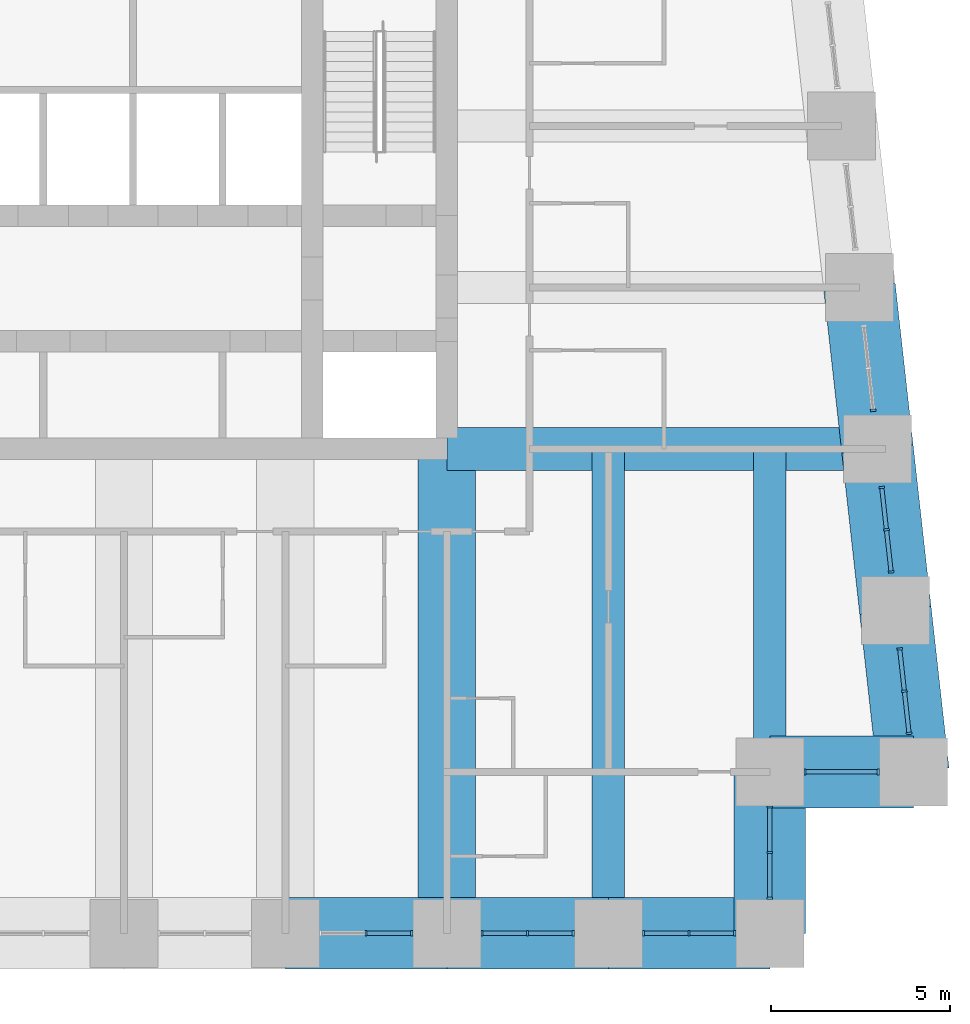
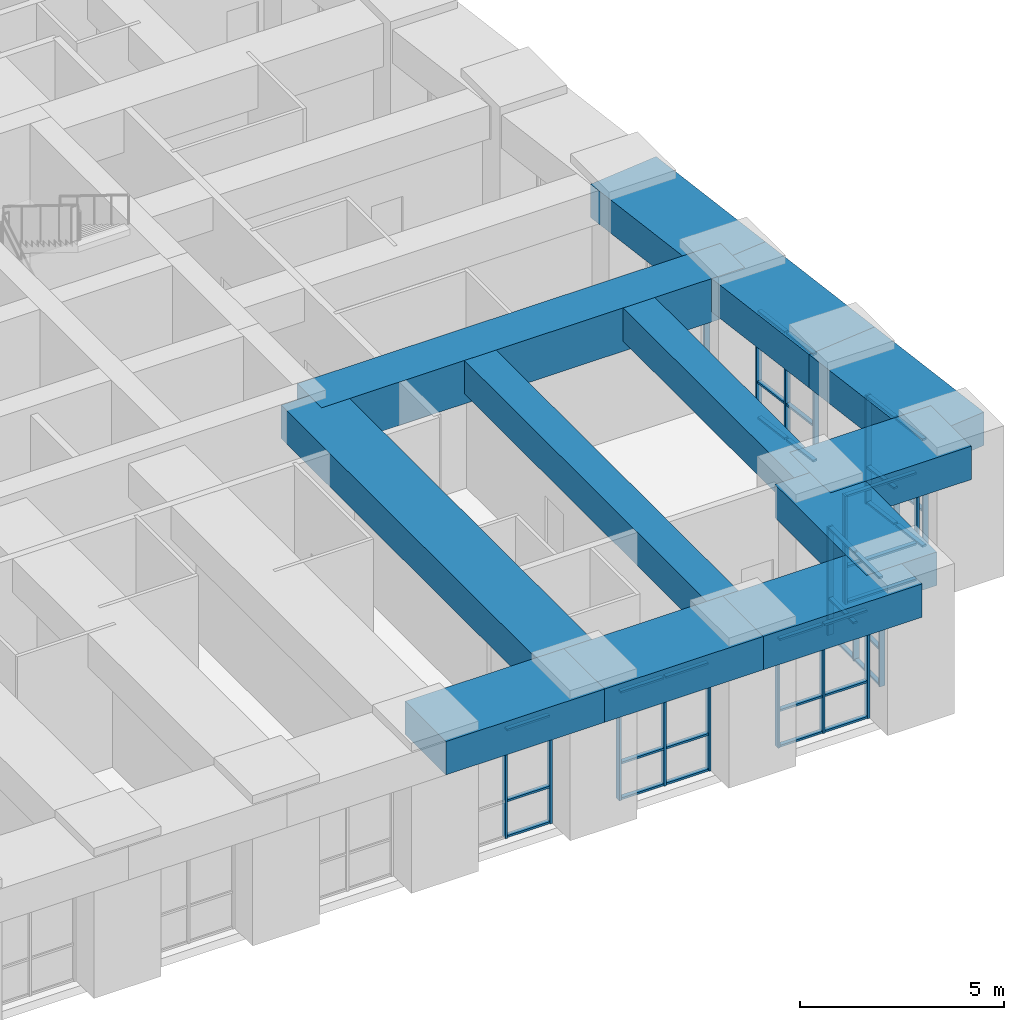
# One storey, part 5 of 16: 56 members, 12 beams, 8 elements without a shape of their own.
"""IFC4 building model written with IfcOpenShell, lengths in metres."""

from ifc_helpers import new_model, si_unit, direction, frame, origin, origin_2d, place, context, subcontext, project, spatial, rectangle, extrude, material, material_profile, profile_set, type_object, element, aggregate, save


model = new_model("IFC4")

# Units and contexts
model_context = context("Model", 3, precision=1e-05, world=origin(), true_north=direction((0.0, 1.0)))
body_context = subcontext(model_context, "Body", "Model", "MODEL_VIEW")
ifc_project = project(units=[si_unit("LENGTHUNIT", "METRE"), si_unit("AREAUNIT", "SQUARE_METRE"), si_unit("VOLUMEUNIT", "CUBIC_METRE"), si_unit("PLANEANGLEUNIT", "RADIAN"), si_unit("MASSUNIT", "GRAM", prefix="KILO")], contexts=[model_context])

# Site, building, storey
site_placement = place(None, origin())
site = spatial("IfcSite", under=ifc_project, at=site_placement, CompositionType="ELEMENT")
building_placement = place(site_placement, origin())
building = spatial("IfcBuilding", under=site, at=building_placement, Name="Kilele Tower Hotel", CompositionType="ELEMENT")
storey_placement = place(building_placement, frame((0.0, 0.0, 157.89990234375)))
storey = spatial("IfcBuildingStorey", under=building, at=storey_placement, Name="L40", CompositionType="ELEMENT", Elevation=157.89990234375)

# Beams
ifc_material_1 = material(Name="Concrete C60/75", Category="concrete")
ifc_material_profile_1 = material_profile(ifc_material_1, rectangle(XDim=1.60009765625, YDim=1.0, at=origin_2d()))
ifc_profile_set_1 = profile_set([ifc_material_profile_1], Name="Concrete C60/75")
beam_type_1 = type_object("IfcBeamType", Name="Beam RC 1600x1000 C60/75", PredefinedType="BEAM", material=ifc_profile_set_1)
beam_1_placement = place(storey_placement, frame((36.0, 0.0, 3.75), z_axis=(0.0, 1.0, 0.0), x_axis=(-1.0, 0.0, 0.0)))
element("IfcBeam", 1, at=beam_1_placement, inside=storey, type_object=beam_type_1, Name="Beam BC1 level L41", PredefinedType="BEAM", context=body_context, shape_type="SweptSolid", body=[
    extrude(rectangle(XDim=1.60009765625, YDim=1.0, at=origin_2d()), origin(), (0.0, 0.0, 1.0), 13.5),
])
ifc_material_2 = material(Name="Concrete C60/75", Category="concrete")
ifc_material_profile_2 = material_profile(ifc_material_2, rectangle(XDim=0.89990234375, YDim=1.0, at=origin_2d()))
ifc_profile_set_2 = profile_set([ifc_material_profile_2], Name="Concrete C60/75")
beam_type_2 = type_object("IfcBeamType", Name="Beam RC 900x1000 C60/75", PredefinedType="BEAM", material=ifc_profile_set_2)
beam_2_placement = place(storey_placement, frame((40.5, 0.0, 3.75), z_axis=(0.0, 1.0, 0.0), x_axis=(-1.0, 0.0, 0.0)))
element("IfcBeam", 2, at=beam_2_placement, inside=storey, type_object=beam_type_2, Name="Beam B8 level L41", PredefinedType="BEAM", context=body_context, shape_type="SweptSolid", body=[
    extrude(rectangle(XDim=0.89990234375, YDim=1.0, at=origin_2d()), origin(), (0.0, 0.0, 1.0), 13.5),
])
beam_3_placement = place(storey_placement, frame((45.0, 4.5, 3.75), z_axis=(0.0, 1.0, 0.0), x_axis=(-1.0, 0.0, 0.0)))
element("IfcBeam", 3, at=beam_3_placement, inside=storey, type_object=beam_type_2, Name="Beam B8 level L41", PredefinedType="BEAM", context=body_context, shape_type="SweptSolid", body=[
    extrude(rectangle(XDim=0.89990234375, YDim=1.0, at=origin_2d()), origin(), (0.0, 0.0, 1.0), 9.0),
])
ifc_material_3 = material(Name="Concrete C60/75", Category="concrete")
ifc_material_profile_3 = material_profile(ifc_material_3, rectangle(XDim=1.199951171875, YDim=1.300048828125, at=origin_2d()))
ifc_profile_set_3 = profile_set([ifc_material_profile_3], Name="Concrete C60/75")
beam_type_3 = type_object("IfcBeamType", Name="Girder RC 1200x1300 C60/75", PredefinedType="BEAM", material=ifc_profile_set_3)
beam_4_placement = place(storey_placement, frame((48.0, 13.5, 3.60009765625), z_axis=(-1.0, 0.0, 0.0), x_axis=(0.0, -1.0, 0.0)))
element("IfcBeam", 4, at=beam_4_placement, inside=storey, type_object=beam_type_3, Name="Girder G1 level L41", PredefinedType="BEAM", context=body_context, shape_type="SweptSolid", body=[
    extrude(rectangle(XDim=1.199951171875, YDim=1.300048828125, at=origin_2d()), origin(), (0.0, 0.0, 1.0), 12.0),
])

# Curtain wall, members
ifc_material_4 = material(Name="Aluminium curtain wall, clear double glazing", Category="aluminium")
curtain_wall_type = type_object("IfcCurtainWallType", Name="Club lounge curtain wall CW-4", PredefinedType="NOTDEFINED", material=ifc_material_4)
curtain_wall_1_placement = place(storey_placement, origin())
curtain_wall_1 = element("IfcCurtainWall", 5, at=curtain_wall_1_placement, inside=storey, type_object=curtain_wall_type, Name="Club lounge curtain wall CW-4 L40", PredefinedType="NOTDEFINED")
ifc_material_5 = material(Name="Aluminium EN AW-6063 T6", Category="aluminium")
ifc_material_profile_4 = material_profile(ifc_material_5, rectangle(XDim=0.159912109375, YDim=0.06005859375, at=origin_2d()))
ifc_profile_set_4 = profile_set([ifc_material_profile_4], Name="Aluminium EN AW-6063 T6")
member_type_1 = type_object("IfcMemberType", Name="Mullion 60x160 CW-4", PredefinedType="MULLION", material=ifc_profile_set_4)
member_1_placement = place(storey_placement, frame((33.75, 0.0, 0.0), z_axis=(0.0, 0.0, 1.0), x_axis=(0.0, 1.0, 0.0)))
member_1 = element("IfcMember", 6, at=member_1_placement, type_object=member_type_1, Name="CW-4 mullion 2", PredefinedType="MULLION", context=body_context, shape_type="SweptSolid", body=[
    extrude(rectangle(XDim=0.159912109375, YDim=0.06005859375, at=origin_2d()), origin(), (0.0, 0.0, 1.0), 3.25),
])
member_2_placement = place(storey_placement, frame((35.02001953125, 0.0, 0.0), z_axis=(0.0, 0.0, 1.0), x_axis=(0.0, 1.0, 0.0)))
member_2 = element("IfcMember", 7, at=member_2_placement, type_object=member_type_1, Name="CW-4 mullion 3", PredefinedType="MULLION", context=body_context, shape_type="SweptSolid", body=[
    extrude(rectangle(XDim=0.159912109375, YDim=0.06005859375, at=origin_2d()), origin(), (0.0, 0.0, 1.0), 3.25),
])

curtain_wall_2_placement = place(storey_placement, origin())
curtain_wall_2 = element("IfcCurtainWall", 8, at=curtain_wall_2_placement, inside=storey, type_object=curtain_wall_type, Name="Club lounge curtain wall CW-4 L40", PredefinedType="NOTDEFINED")
member_3_placement = place(storey_placement, frame((36.97998046875, 0.0, 0.0), z_axis=(0.0, 0.0, 1.0), x_axis=(0.0, 1.0, 0.0)))
member_3 = element("IfcMember", 9, at=member_3_placement, type_object=member_type_1, Name="CW-4 mullion 1", PredefinedType="MULLION", context=body_context, shape_type="SweptSolid", body=[
    extrude(rectangle(XDim=0.159912109375, YDim=0.06005859375, at=origin_2d()), origin(), (0.0, 0.0, 1.0), 3.25),
])
member_4_placement = place(storey_placement, frame((38.25, 0.0, 0.0), z_axis=(0.0, 0.0, 1.0), x_axis=(0.0, 1.0, 0.0)))
member_4 = element("IfcMember", 10, at=member_4_placement, type_object=member_type_1, Name="CW-4 mullion 2", PredefinedType="MULLION", context=body_context, shape_type="SweptSolid", body=[
    extrude(rectangle(XDim=0.159912109375, YDim=0.06005859375, at=origin_2d()), origin(), (0.0, 0.0, 1.0), 3.25),
])
member_5_placement = place(storey_placement, frame((39.52001953125, 0.0, 0.0), z_axis=(0.0, 0.0, 1.0), x_axis=(0.0, 1.0, 0.0)))
member_5 = element("IfcMember", 11, at=member_5_placement, type_object=member_type_1, Name="CW-4 mullion 3", PredefinedType="MULLION", context=body_context, shape_type="SweptSolid", body=[
    extrude(rectangle(XDim=0.159912109375, YDim=0.06005859375, at=origin_2d()), origin(), (0.0, 0.0, 1.0), 3.25),
])

curtain_wall_3_placement = place(storey_placement, origin())
curtain_wall_3 = element("IfcCurtainWall", 12, at=curtain_wall_3_placement, inside=storey, type_object=curtain_wall_type, Name="Club lounge curtain wall CW-4 L40", PredefinedType="NOTDEFINED")
member_6_placement = place(storey_placement, frame((41.47998046875, 0.0, 0.0), z_axis=(0.0, 0.0, 1.0), x_axis=(0.0, 1.0, 0.0)))
member_6 = element("IfcMember", 13, at=member_6_placement, type_object=member_type_1, Name="CW-4 mullion 1", PredefinedType="MULLION", context=body_context, shape_type="SweptSolid", body=[
    extrude(rectangle(XDim=0.159912109375, YDim=0.06005859375, at=origin_2d()), origin(), (0.0, 0.0, 1.0), 3.25),
])
member_7_placement = place(storey_placement, frame((42.75, 0.0, 0.0), z_axis=(0.0, 0.0, 1.0), x_axis=(0.0, 1.0, 0.0)))
member_7 = element("IfcMember", 14, at=member_7_placement, type_object=member_type_1, Name="CW-4 mullion 2", PredefinedType="MULLION", context=body_context, shape_type="SweptSolid", body=[
    extrude(rectangle(XDim=0.159912109375, YDim=0.06005859375, at=origin_2d()), origin(), (0.0, 0.0, 1.0), 3.25),
])
member_8_placement = place(storey_placement, frame((44.02001953125, 0.0, 0.0), z_axis=(0.0, 0.0, 1.0), x_axis=(0.0, 1.0, 0.0)))
member_8 = element("IfcMember", 15, at=member_8_placement, type_object=member_type_1, Name="CW-4 mullion 3", PredefinedType="MULLION", context=body_context, shape_type="SweptSolid", body=[
    extrude(rectangle(XDim=0.159912109375, YDim=0.06005859375, at=origin_2d()), origin(), (0.0, 0.0, 1.0), 3.25),
])

curtain_wall_4_placement = place(storey_placement, origin())
curtain_wall_4 = element("IfcCurtainWall", 16, at=curtain_wall_4_placement, inside=storey, type_object=curtain_wall_type, Name="Club lounge curtain wall CW-4 L40", PredefinedType="NOTDEFINED")
member_9_placement = place(storey_placement, frame((45.0, 0.97998046875, 0.0), z_axis=(0.0, 0.0, 1.0), x_axis=(-1.0, 0.0, 0.0)))
member_9 = element("IfcMember", 17, at=member_9_placement, type_object=member_type_1, Name="CW-4 mullion 1", PredefinedType="MULLION", context=body_context, shape_type="SweptSolid", body=[
    extrude(rectangle(XDim=0.159912109375, YDim=0.06005859375, at=origin_2d()), origin(), (0.0, 0.0, 1.0), 3.25),
])
member_10_placement = place(storey_placement, frame((45.0, 2.25, 0.0), z_axis=(0.0, 0.0, 1.0), x_axis=(-1.0, 0.0, 0.0)))
member_10 = element("IfcMember", 18, at=member_10_placement, type_object=member_type_1, Name="CW-4 mullion 2", PredefinedType="MULLION", context=body_context, shape_type="SweptSolid", body=[
    extrude(rectangle(XDim=0.159912109375, YDim=0.06005859375, at=origin_2d()), origin(), (0.0, 0.0, 1.0), 3.25),
])
member_11_placement = place(storey_placement, frame((45.0, 3.52001953125, 0.0), z_axis=(0.0, 0.0, 1.0), x_axis=(-1.0, 0.0, 0.0)))
member_11 = element("IfcMember", 19, at=member_11_placement, type_object=member_type_1, Name="CW-4 mullion 3", PredefinedType="MULLION", context=body_context, shape_type="SweptSolid", body=[
    extrude(rectangle(XDim=0.159912109375, YDim=0.06005859375, at=origin_2d()), origin(), (0.0, 0.0, 1.0), 3.25),
])

curtain_wall_5_placement = place(storey_placement, origin())
curtain_wall_5 = element("IfcCurtainWall", 20, at=curtain_wall_5_placement, inside=storey, type_object=curtain_wall_type, Name="Club lounge curtain wall CW-4 L40", PredefinedType="NOTDEFINED")
member_12_placement = place(storey_placement, frame((45.97998046875, 4.5, 0.0), z_axis=(0.0, 0.0, 1.0), x_axis=(0.0, 1.0, 0.0)))
member_12 = element("IfcMember", 21, at=member_12_placement, type_object=member_type_1, Name="CW-4 mullion 1", PredefinedType="MULLION", context=body_context, shape_type="SweptSolid", body=[
    extrude(rectangle(XDim=0.159912109375, YDim=0.06005859375, at=origin_2d()), origin(), (0.0, 0.0, 1.0), 3.25),
])
member_13_placement = place(storey_placement, frame((48.02001953125, 4.5, 0.0), z_axis=(0.0, 0.0, 1.0), x_axis=(0.0, 1.0, 0.0)))
member_13 = element("IfcMember", 22, at=member_13_placement, type_object=member_type_1, Name="CW-4 mullion 2", PredefinedType="MULLION", context=body_context, shape_type="SweptSolid", body=[
    extrude(rectangle(XDim=0.159912109375, YDim=0.06005859375, at=origin_2d()), origin(), (0.0, 0.0, 1.0), 3.25),
])

curtain_wall_6_placement = place(storey_placement, origin())
curtain_wall_6 = element("IfcCurtainWall", 23, at=curtain_wall_6_placement, inside=storey, type_object=curtain_wall_type, Name="Club lounge curtain wall CW-4 L40", PredefinedType="NOTDEFINED")
member_14_placement = place(storey_placement, frame((48.880859375, 5.572509765625, 0.0), z_axis=(0.0, 0.0, 1.0), x_axis=(-0.993883734714, -0.110431525712, 0.0)))
member_14 = element("IfcMember", 24, at=member_14_placement, type_object=member_type_1, Name="CW-4 mullion 1", PredefinedType="MULLION", context=body_context, shape_type="SweptSolid", body=[
    extrude(rectangle(XDim=0.159912109375, YDim=0.06005859375, at=origin_2d()), origin(), (0.0, 0.0, 1.0), 3.25),
])
member_15_placement = place(storey_placement, frame((48.75, 6.75, 0.0), z_axis=(0.0, 0.0, 1.0), x_axis=(-0.993883734714, -0.110431525712, 0.0)))
member_15 = element("IfcMember", 25, at=member_15_placement, type_object=member_type_1, Name="CW-4 mullion 2", PredefinedType="MULLION", context=body_context, shape_type="SweptSolid", body=[
    extrude(rectangle(XDim=0.159912109375, YDim=0.06005859375, at=origin_2d()), origin(), (0.0, 0.0, 1.0), 3.25),
])
member_16_placement = place(storey_placement, frame((48.619140625, 7.927490234375, 0.0), z_axis=(0.0, 0.0, 1.0), x_axis=(-0.993883734714, -0.110431525712, 0.0)))
member_16 = element("IfcMember", 26, at=member_16_placement, type_object=member_type_1, Name="CW-4 mullion 3", PredefinedType="MULLION", context=body_context, shape_type="SweptSolid", body=[
    extrude(rectangle(XDim=0.159912109375, YDim=0.06005859375, at=origin_2d()), origin(), (0.0, 0.0, 1.0), 3.25),
])

curtain_wall_7_placement = place(storey_placement, origin())
curtain_wall_7 = element("IfcCurtainWall", 27, at=curtain_wall_7_placement, inside=storey, type_object=curtain_wall_type, Name="Club lounge curtain wall CW-4 L40", PredefinedType="NOTDEFINED")
member_17_placement = place(storey_placement, frame((48.380859375, 10.072509765625, 0.0), z_axis=(0.0, 0.0, 1.0), x_axis=(-0.993883734714, -0.110431525712, 0.0)))
member_17 = element("IfcMember", 28, at=member_17_placement, type_object=member_type_1, Name="CW-4 mullion 1", PredefinedType="MULLION", context=body_context, shape_type="SweptSolid", body=[
    extrude(rectangle(XDim=0.159912109375, YDim=0.06005859375, at=origin_2d()), origin(), (0.0, 0.0, 1.0), 3.25),
])
member_18_placement = place(storey_placement, frame((48.25, 11.25, 0.0), z_axis=(0.0, 0.0, 1.0), x_axis=(-0.993883734714, -0.110431525712, 0.0)))
member_18 = element("IfcMember", 29, at=member_18_placement, type_object=member_type_1, Name="CW-4 mullion 2", PredefinedType="MULLION", context=body_context, shape_type="SweptSolid", body=[
    extrude(rectangle(XDim=0.159912109375, YDim=0.06005859375, at=origin_2d()), origin(), (0.0, 0.0, 1.0), 3.25),
])
member_19_placement = place(storey_placement, frame((48.119140625, 12.427490234375, 0.0), z_axis=(0.0, 0.0, 1.0), x_axis=(-0.993883734714, -0.110431525712, 0.0)))
member_19 = element("IfcMember", 30, at=member_19_placement, type_object=member_type_1, Name="CW-4 mullion 3", PredefinedType="MULLION", context=body_context, shape_type="SweptSolid", body=[
    extrude(rectangle(XDim=0.159912109375, YDim=0.06005859375, at=origin_2d()), origin(), (0.0, 0.0, 1.0), 3.25),
])

# Curtain wall, member
curtain_wall_8_placement = place(storey_placement, origin())
curtain_wall_8 = element("IfcCurtainWall", 31, at=curtain_wall_8_placement, inside=storey, type_object=curtain_wall_type, Name="Club lounge curtain wall CW-4 L40", PredefinedType="NOTDEFINED")
member_20_placement = place(storey_placement, frame((47.880859375, 14.572509765625, 0.0), z_axis=(0.0, 0.0, 1.0), x_axis=(-0.993883734714, -0.110431525712, 0.0)))
member_20 = element("IfcMember", 32, at=member_20_placement, type_object=member_type_1, Name="CW-4 mullion 1", PredefinedType="MULLION", context=body_context, shape_type="SweptSolid", body=[
    extrude(rectangle(XDim=0.159912109375, YDim=0.06005859375, at=origin_2d()), origin(), (0.0, 0.0, 1.0), 3.25),
])
aggregate(curtain_wall_8, [member_20])

# Beams
ifc_material_6 = material(Name="Concrete C60/75", Category="concrete")
ifc_material_profile_5 = material_profile(ifc_material_6, rectangle(XDim=2.0, YDim=1.0, at=origin_2d()))
ifc_profile_set_5 = profile_set([ifc_material_profile_5], Name="Concrete C60/75")
beam_type_4 = type_object("IfcBeamType", Name="Spandrel RC 2000x1000 C60/75", PredefinedType="SPANDREL", material=ifc_profile_set_5)
for number, where, z_axis, x_axis, name in (
    (33, (31.5, 0.0, 3.75), (1.0, 0.0, 0.0), (0.0, 1.0, 0.0), "Spandrel SP3 level L41"),
    (34, (36.0, 0.0, 3.75), (1.0, 0.0, 0.0), (0.0, 1.0, 0.0), "Spandrel SP3 level L41"),
    (35, (40.5, 0.0, 3.75), (1.0, 0.0, 0.0), (0.0, 1.0, 0.0), "Spandrel SP3 level L41"),
    (36, (45.0, 0.0, 3.75), (0.0, 1.0, 0.0), (-1.0, 0.0, 0.0), "Spandrel SP3 level L41"),
):
    element("IfcBeam", number, at=place(storey_placement, frame(where, z_axis=z_axis, x_axis=x_axis)), inside=storey, type_object=beam_type_4, Name=name, PredefinedType="SPANDREL", context=body_context, shape_type="SweptSolid", body=[
        extrude(rectangle(XDim=2.0, YDim=1.0, at=origin_2d()), origin(), (0.0, 0.0, 1.0), 4.5),
    ])
beam_5_placement = place(storey_placement, frame((45.0, 4.5, 3.75), z_axis=(1.0, 0.0, 0.0), x_axis=(0.0, 1.0, 0.0)))
element("IfcBeam", 37, at=beam_5_placement, inside=storey, type_object=beam_type_4, Name="Spandrel SP3 level L41", PredefinedType="SPANDREL", context=body_context, shape_type="SweptSolid", body=[
    extrude(rectangle(XDim=2.0, YDim=1.0, at=origin_2d()), origin(), (0.0, 0.0, 1.0), 4.0),
])
for number, where, z_axis, x_axis, name in (
    (38, (49.0, 4.5, 3.75), (-0.110431526075, 0.993883734674, 0.0), (-0.993883734674, -0.110431526075, 0.0), "Spandrel SP3 level L41"),
    (39, (48.5, 9.0, 3.75), (-0.110431526075, 0.993883734674, 0.0), (-0.993883734674, -0.110431526075, 0.0), "Spandrel SP3 level L41"),
    (40, (48.0, 13.5, 3.75), (-0.110431526075, 0.993883734674, 0.0), (-0.993883734674, -0.110431526075, 0.0), "Spandrel SP3 level L41"),
):
    element("IfcBeam", number, at=place(storey_placement, frame(where, z_axis=z_axis, x_axis=x_axis)), inside=storey, type_object=beam_type_4, Name=name, PredefinedType="SPANDREL", context=body_context, shape_type="SweptSolid", body=[
        extrude(rectangle(XDim=2.0, YDim=1.0, at=origin_2d()), origin(), (0.0, 0.0, 1.0), 4.527587890625),
    ])

# Member
ifc_material_7 = material(Name="Aluminium EN AW-6063 T6", Category="aluminium")
ifc_material_profile_6 = material_profile(ifc_material_7, rectangle(XDim=0.1201171875, YDim=0.06005859375, at=origin_2d()))
ifc_profile_set_6 = profile_set([ifc_material_profile_6], Name="Aluminium EN AW-6063 T6")
member_type_2 = type_object("IfcMemberType", Name="Transom 60x120 CW-4", PredefinedType="USERDEFINED", material=ifc_profile_set_6)
member_21_placement = place(storey_placement, frame((33.780029296875, 0.0, 0.030029296875), z_axis=(1.0, 0.0, 0.0), x_axis=(0.0, 1.0, 0.0)))
member_21 = element("IfcMember", 41, at=member_21_placement, type_object=member_type_2, Name="CW-4 transom 2.1", ObjectType="TRANSOM", PredefinedType="USERDEFINED", context=body_context, shape_type="SweptSolid", body=[
    extrude(rectangle(XDim=0.1201171875, YDim=0.06005859375, at=origin_2d()), origin(), (0.0, 0.0, 1.0), 1.2099609375),
])

member_22_placement = place(storey_placement, frame((33.780029296875, 0.0, 1.10009765625), z_axis=(1.0, 0.0, 0.0), x_axis=(0.0, 1.0, 0.0)))
member_22 = element("IfcMember", 42, at=member_22_placement, type_object=member_type_2, Name="CW-4 transom 2.2", ObjectType="TRANSOM", PredefinedType="USERDEFINED", context=body_context, shape_type="SweptSolid", body=[
    extrude(rectangle(XDim=0.1201171875, YDim=0.06005859375, at=origin_2d()), origin(), (0.0, 0.0, 1.0), 1.2099609375),
])

member_23_placement = place(storey_placement, frame((33.780029296875, 0.0, 3.22021484375), z_axis=(1.0, 0.0, 0.0), x_axis=(0.0, 1.0, 0.0)))
member_23 = element("IfcMember", 43, at=member_23_placement, type_object=member_type_2, Name="CW-4 transom 2.3", ObjectType="TRANSOM", PredefinedType="USERDEFINED", context=body_context, shape_type="SweptSolid", body=[
    extrude(rectangle(XDim=0.1201171875, YDim=0.06005859375, at=origin_2d()), origin(), (0.0, 0.0, 1.0), 1.2099609375),
])

aggregate(curtain_wall_1, [member_1, member_2, member_21, member_22, member_23])

member_24_placement = place(storey_placement, frame((37.010009765625, 0.0, 0.030029296875), z_axis=(1.0, 0.0, 0.0), x_axis=(0.0, 1.0, 0.0)))
member_24 = element("IfcMember", 44, at=member_24_placement, type_object=member_type_2, Name="CW-4 transom 1.1", ObjectType="TRANSOM", PredefinedType="USERDEFINED", context=body_context, shape_type="SweptSolid", body=[
    extrude(rectangle(XDim=0.1201171875, YDim=0.06005859375, at=origin_2d()), origin(), (0.0, 0.0, 1.0), 1.2099609375),
])

member_25_placement = place(storey_placement, frame((37.010009765625, 0.0, 1.10009765625), z_axis=(1.0, 0.0, 0.0), x_axis=(0.0, 1.0, 0.0)))
member_25 = element("IfcMember", 45, at=member_25_placement, type_object=member_type_2, Name="CW-4 transom 1.2", ObjectType="TRANSOM", PredefinedType="USERDEFINED", context=body_context, shape_type="SweptSolid", body=[
    extrude(rectangle(XDim=0.1201171875, YDim=0.06005859375, at=origin_2d()), origin(), (0.0, 0.0, 1.0), 1.2099609375),
])

member_26_placement = place(storey_placement, frame((37.010009765625, 0.0, 3.22021484375), z_axis=(1.0, 0.0, 0.0), x_axis=(0.0, 1.0, 0.0)))
member_26 = element("IfcMember", 46, at=member_26_placement, type_object=member_type_2, Name="CW-4 transom 1.3", ObjectType="TRANSOM", PredefinedType="USERDEFINED", context=body_context, shape_type="SweptSolid", body=[
    extrude(rectangle(XDim=0.1201171875, YDim=0.06005859375, at=origin_2d()), origin(), (0.0, 0.0, 1.0), 1.2099609375),
])

member_27_placement = place(storey_placement, frame((38.280029296875, 0.0, 0.030029296875), z_axis=(1.0, 0.0, 0.0), x_axis=(0.0, 1.0, 0.0)))
member_27 = element("IfcMember", 47, at=member_27_placement, type_object=member_type_2, Name="CW-4 transom 2.1", ObjectType="TRANSOM", PredefinedType="USERDEFINED", context=body_context, shape_type="SweptSolid", body=[
    extrude(rectangle(XDim=0.1201171875, YDim=0.06005859375, at=origin_2d()), origin(), (0.0, 0.0, 1.0), 1.2099609375),
])

member_28_placement = place(storey_placement, frame((38.280029296875, 0.0, 1.10009765625), z_axis=(1.0, 0.0, 0.0), x_axis=(0.0, 1.0, 0.0)))
member_28 = element("IfcMember", 48, at=member_28_placement, type_object=member_type_2, Name="CW-4 transom 2.2", ObjectType="TRANSOM", PredefinedType="USERDEFINED", context=body_context, shape_type="SweptSolid", body=[
    extrude(rectangle(XDim=0.1201171875, YDim=0.06005859375, at=origin_2d()), origin(), (0.0, 0.0, 1.0), 1.2099609375),
])

member_29_placement = place(storey_placement, frame((38.280029296875, 0.0, 3.22021484375), z_axis=(1.0, 0.0, 0.0), x_axis=(0.0, 1.0, 0.0)))
member_29 = element("IfcMember", 49, at=member_29_placement, type_object=member_type_2, Name="CW-4 transom 2.3", ObjectType="TRANSOM", PredefinedType="USERDEFINED", context=body_context, shape_type="SweptSolid", body=[
    extrude(rectangle(XDim=0.1201171875, YDim=0.06005859375, at=origin_2d()), origin(), (0.0, 0.0, 1.0), 1.2099609375),
])

aggregate(curtain_wall_2, [member_3, member_4, member_5, member_24, member_25, member_26, member_27, member_28, member_29])

member_30_placement = place(storey_placement, frame((41.510009765625, 0.0, 0.030029296875), z_axis=(1.0, 0.0, 0.0), x_axis=(0.0, 1.0, 0.0)))
member_30 = element("IfcMember", 50, at=member_30_placement, type_object=member_type_2, Name="CW-4 transom 1.1", ObjectType="TRANSOM", PredefinedType="USERDEFINED", context=body_context, shape_type="SweptSolid", body=[
    extrude(rectangle(XDim=0.1201171875, YDim=0.06005859375, at=origin_2d()), origin(), (0.0, 0.0, 1.0), 1.2099609375),
])

member_31_placement = place(storey_placement, frame((41.510009765625, 0.0, 1.10009765625), z_axis=(1.0, 0.0, 0.0), x_axis=(0.0, 1.0, 0.0)))
member_31 = element("IfcMember", 51, at=member_31_placement, type_object=member_type_2, Name="CW-4 transom 1.2", ObjectType="TRANSOM", PredefinedType="USERDEFINED", context=body_context, shape_type="SweptSolid", body=[
    extrude(rectangle(XDim=0.1201171875, YDim=0.06005859375, at=origin_2d()), origin(), (0.0, 0.0, 1.0), 1.2099609375),
])

member_32_placement = place(storey_placement, frame((41.510009765625, 0.0, 3.22021484375), z_axis=(1.0, 0.0, 0.0), x_axis=(0.0, 1.0, 0.0)))
member_32 = element("IfcMember", 52, at=member_32_placement, type_object=member_type_2, Name="CW-4 transom 1.3", ObjectType="TRANSOM", PredefinedType="USERDEFINED", context=body_context, shape_type="SweptSolid", body=[
    extrude(rectangle(XDim=0.1201171875, YDim=0.06005859375, at=origin_2d()), origin(), (0.0, 0.0, 1.0), 1.2099609375),
])

member_33_placement = place(storey_placement, frame((42.780029296875, 0.0, 0.030029296875), z_axis=(1.0, 0.0, 0.0), x_axis=(0.0, 1.0, 0.0)))
member_33 = element("IfcMember", 53, at=member_33_placement, type_object=member_type_2, Name="CW-4 transom 2.1", ObjectType="TRANSOM", PredefinedType="USERDEFINED", context=body_context, shape_type="SweptSolid", body=[
    extrude(rectangle(XDim=0.1201171875, YDim=0.06005859375, at=origin_2d()), origin(), (0.0, 0.0, 1.0), 1.2099609375),
])

member_34_placement = place(storey_placement, frame((42.780029296875, 0.0, 1.10009765625), z_axis=(1.0, 0.0, 0.0), x_axis=(0.0, 1.0, 0.0)))
member_34 = element("IfcMember", 54, at=member_34_placement, type_object=member_type_2, Name="CW-4 transom 2.2", ObjectType="TRANSOM", PredefinedType="USERDEFINED", context=body_context, shape_type="SweptSolid", body=[
    extrude(rectangle(XDim=0.1201171875, YDim=0.06005859375, at=origin_2d()), origin(), (0.0, 0.0, 1.0), 1.2099609375),
])

member_35_placement = place(storey_placement, frame((42.780029296875, 0.0, 3.22021484375), z_axis=(1.0, 0.0, 0.0), x_axis=(0.0, 1.0, 0.0)))
member_35 = element("IfcMember", 55, at=member_35_placement, type_object=member_type_2, Name="CW-4 transom 2.3", ObjectType="TRANSOM", PredefinedType="USERDEFINED", context=body_context, shape_type="SweptSolid", body=[
    extrude(rectangle(XDim=0.1201171875, YDim=0.06005859375, at=origin_2d()), origin(), (0.0, 0.0, 1.0), 1.2099609375),
])

aggregate(curtain_wall_3, [member_6, member_7, member_8, member_30, member_31, member_32, member_33, member_34, member_35])

member_36_placement = place(storey_placement, frame((45.0, 1.010009765625, 0.030029296875), z_axis=(0.0, 1.0, 0.0), x_axis=(-1.0, 0.0, 0.0)))
member_36 = element("IfcMember", 56, at=member_36_placement, type_object=member_type_2, Name="CW-4 transom 1.1", ObjectType="TRANSOM", PredefinedType="USERDEFINED", context=body_context, shape_type="SweptSolid", body=[
    extrude(rectangle(XDim=0.1201171875, YDim=0.06005859375, at=origin_2d()), origin(), (0.0, 0.0, 1.0), 1.2099609375),
])

member_37_placement = place(storey_placement, frame((45.0, 1.010009765625, 1.10009765625), z_axis=(0.0, 1.0, 0.0), x_axis=(-1.0, 0.0, 0.0)))
member_37 = element("IfcMember", 57, at=member_37_placement, type_object=member_type_2, Name="CW-4 transom 1.2", ObjectType="TRANSOM", PredefinedType="USERDEFINED", context=body_context, shape_type="SweptSolid", body=[
    extrude(rectangle(XDim=0.1201171875, YDim=0.06005859375, at=origin_2d()), origin(), (0.0, 0.0, 1.0), 1.2099609375),
])

member_38_placement = place(storey_placement, frame((45.0, 1.010009765625, 3.22021484375), z_axis=(0.0, 1.0, 0.0), x_axis=(-1.0, 0.0, 0.0)))
member_38 = element("IfcMember", 58, at=member_38_placement, type_object=member_type_2, Name="CW-4 transom 1.3", ObjectType="TRANSOM", PredefinedType="USERDEFINED", context=body_context, shape_type="SweptSolid", body=[
    extrude(rectangle(XDim=0.1201171875, YDim=0.06005859375, at=origin_2d()), origin(), (0.0, 0.0, 1.0), 1.2099609375),
])

member_39_placement = place(storey_placement, frame((45.0, 2.280029296875, 0.030029296875), z_axis=(0.0, 1.0, 0.0), x_axis=(-1.0, 0.0, 0.0)))
member_39 = element("IfcMember", 59, at=member_39_placement, type_object=member_type_2, Name="CW-4 transom 2.1", ObjectType="TRANSOM", PredefinedType="USERDEFINED", context=body_context, shape_type="SweptSolid", body=[
    extrude(rectangle(XDim=0.1201171875, YDim=0.06005859375, at=origin_2d()), origin(), (0.0, 0.0, 1.0), 1.2099609375),
])

member_40_placement = place(storey_placement, frame((45.0, 2.280029296875, 1.10009765625), z_axis=(0.0, 1.0, 0.0), x_axis=(-1.0, 0.0, 0.0)))
member_40 = element("IfcMember", 60, at=member_40_placement, type_object=member_type_2, Name="CW-4 transom 2.2", ObjectType="TRANSOM", PredefinedType="USERDEFINED", context=body_context, shape_type="SweptSolid", body=[
    extrude(rectangle(XDim=0.1201171875, YDim=0.06005859375, at=origin_2d()), origin(), (0.0, 0.0, 1.0), 1.2099609375),
])

member_41_placement = place(storey_placement, frame((45.0, 2.280029296875, 3.22021484375), z_axis=(0.0, 1.0, 0.0), x_axis=(-1.0, 0.0, 0.0)))
member_41 = element("IfcMember", 61, at=member_41_placement, type_object=member_type_2, Name="CW-4 transom 2.3", ObjectType="TRANSOM", PredefinedType="USERDEFINED", context=body_context, shape_type="SweptSolid", body=[
    extrude(rectangle(XDim=0.1201171875, YDim=0.06005859375, at=origin_2d()), origin(), (0.0, 0.0, 1.0), 1.2099609375),
])

aggregate(curtain_wall_4, [member_9, member_10, member_11, member_36, member_37, member_38, member_39, member_40, member_41])

member_42_placement = place(storey_placement, frame((46.010009765625, 4.5, 0.030029296875), z_axis=(1.0, 0.0, 0.0), x_axis=(0.0, 1.0, 0.0)))
member_42 = element("IfcMember", 62, at=member_42_placement, type_object=member_type_2, Name="CW-4 transom 1.1", ObjectType="TRANSOM", PredefinedType="USERDEFINED", context=body_context, shape_type="SweptSolid", body=[
    extrude(rectangle(XDim=0.1201171875, YDim=0.06005859375, at=origin_2d()), origin(), (0.0, 0.0, 1.0), 1.97998046875),
])

member_43_placement = place(storey_placement, frame((46.010009765625, 4.5, 1.10009765625), z_axis=(1.0, 0.0, 0.0), x_axis=(0.0, 1.0, 0.0)))
member_43 = element("IfcMember", 63, at=member_43_placement, type_object=member_type_2, Name="CW-4 transom 1.2", ObjectType="TRANSOM", PredefinedType="USERDEFINED", context=body_context, shape_type="SweptSolid", body=[
    extrude(rectangle(XDim=0.1201171875, YDim=0.06005859375, at=origin_2d()), origin(), (0.0, 0.0, 1.0), 1.97998046875),
])

member_44_placement = place(storey_placement, frame((46.010009765625, 4.5, 3.22021484375), z_axis=(1.0, 0.0, 0.0), x_axis=(0.0, 1.0, 0.0)))
member_44 = element("IfcMember", 64, at=member_44_placement, type_object=member_type_2, Name="CW-4 transom 1.3", ObjectType="TRANSOM", PredefinedType="USERDEFINED", context=body_context, shape_type="SweptSolid", body=[
    extrude(rectangle(XDim=0.1201171875, YDim=0.06005859375, at=origin_2d()), origin(), (0.0, 0.0, 1.0), 1.97998046875),
])

aggregate(curtain_wall_5, [member_12, member_13, member_42, member_43, member_44])

member_45_placement = place(storey_placement, frame((48.87744140625, 5.602294921875, 0.030029296875), z_axis=(-0.11026476151, 0.993902249907, 0.0), x_axis=(-0.993902249907, -0.11026476151, 0.0)))
member_45 = element("IfcMember", 65, at=member_45_placement, type_object=member_type_2, Name="CW-4 transom 1.1", ObjectType="TRANSOM", PredefinedType="USERDEFINED", context=body_context, shape_type="SweptSolid", body=[
    extrude(rectangle(XDim=0.1201171875, YDim=0.06005859375, at=origin_2d()), origin(), (0.0, 0.0, 1.0), 1.124755859375),
])

member_46_placement = place(storey_placement, frame((48.87744140625, 5.602294921875, 1.10009765625), z_axis=(-0.11026476151, 0.993902249907, 0.0), x_axis=(-0.993902249907, -0.11026476151, 0.0)))
member_46 = element("IfcMember", 66, at=member_46_placement, type_object=member_type_2, Name="CW-4 transom 1.2", ObjectType="TRANSOM", PredefinedType="USERDEFINED", context=body_context, shape_type="SweptSolid", body=[
    extrude(rectangle(XDim=0.1201171875, YDim=0.06005859375, at=origin_2d()), origin(), (0.0, 0.0, 1.0), 1.124755859375),
])

member_47_placement = place(storey_placement, frame((48.87744140625, 5.602294921875, 3.22021484375), z_axis=(-0.11026476151, 0.993902249907, 0.0), x_axis=(-0.993902249907, -0.11026476151, 0.0)))
member_47 = element("IfcMember", 67, at=member_47_placement, type_object=member_type_2, Name="CW-4 transom 1.3", ObjectType="TRANSOM", PredefinedType="USERDEFINED", context=body_context, shape_type="SweptSolid", body=[
    extrude(rectangle(XDim=0.1201171875, YDim=0.06005859375, at=origin_2d()), origin(), (0.0, 0.0, 1.0), 1.124755859375),
])

member_48_placement = place(storey_placement, frame((48.74658203125, 6.77978515625, 0.030029296875), z_axis=(-0.11026476151, 0.993902249907, 0.0), x_axis=(-0.993902249907, -0.11026476151, 0.0)))
member_48 = element("IfcMember", 68, at=member_48_placement, type_object=member_type_2, Name="CW-4 transom 2.1", ObjectType="TRANSOM", PredefinedType="USERDEFINED", context=body_context, shape_type="SweptSolid", body=[
    extrude(rectangle(XDim=0.1201171875, YDim=0.06005859375, at=origin_2d()), origin(), (0.0, 0.0, 1.0), 1.124755859375),
])

member_49_placement = place(storey_placement, frame((48.74658203125, 6.77978515625, 1.10009765625), z_axis=(-0.11026476151, 0.993902249907, 0.0), x_axis=(-0.993902249907, -0.11026476151, 0.0)))
member_49 = element("IfcMember", 69, at=member_49_placement, type_object=member_type_2, Name="CW-4 transom 2.2", ObjectType="TRANSOM", PredefinedType="USERDEFINED", context=body_context, shape_type="SweptSolid", body=[
    extrude(rectangle(XDim=0.1201171875, YDim=0.06005859375, at=origin_2d()), origin(), (0.0, 0.0, 1.0), 1.124755859375),
])

member_50_placement = place(storey_placement, frame((48.74658203125, 6.77978515625, 3.22021484375), z_axis=(-0.11026476151, 0.993902249907, 0.0), x_axis=(-0.993902249907, -0.11026476151, 0.0)))
member_50 = element("IfcMember", 70, at=member_50_placement, type_object=member_type_2, Name="CW-4 transom 2.3", ObjectType="TRANSOM", PredefinedType="USERDEFINED", context=body_context, shape_type="SweptSolid", body=[
    extrude(rectangle(XDim=0.1201171875, YDim=0.06005859375, at=origin_2d()), origin(), (0.0, 0.0, 1.0), 1.124755859375),
])

aggregate(curtain_wall_6, [member_14, member_15, member_16, member_45, member_46, member_47, member_48, member_49, member_50])

member_51_placement = place(storey_placement, frame((48.37744140625, 10.102294921875, 0.030029296875), z_axis=(-0.11026476151, 0.993902249907, 0.0), x_axis=(-0.993902249907, -0.11026476151, 0.0)))
member_51 = element("IfcMember", 71, at=member_51_placement, type_object=member_type_2, Name="CW-4 transom 1.1", ObjectType="TRANSOM", PredefinedType="USERDEFINED", context=body_context, shape_type="SweptSolid", body=[
    extrude(rectangle(XDim=0.1201171875, YDim=0.06005859375, at=origin_2d()), origin(), (0.0, 0.0, 1.0), 1.124755859375),
])

member_52_placement = place(storey_placement, frame((48.37744140625, 10.102294921875, 1.10009765625), z_axis=(-0.11026476151, 0.993902249907, 0.0), x_axis=(-0.993902249907, -0.11026476151, 0.0)))
member_52 = element("IfcMember", 72, at=member_52_placement, type_object=member_type_2, Name="CW-4 transom 1.2", ObjectType="TRANSOM", PredefinedType="USERDEFINED", context=body_context, shape_type="SweptSolid", body=[
    extrude(rectangle(XDim=0.1201171875, YDim=0.06005859375, at=origin_2d()), origin(), (0.0, 0.0, 1.0), 1.124755859375),
])

member_53_placement = place(storey_placement, frame((48.37744140625, 10.102294921875, 3.22021484375), z_axis=(-0.11026476151, 0.993902249907, 0.0), x_axis=(-0.993902249907, -0.11026476151, 0.0)))
member_53 = element("IfcMember", 73, at=member_53_placement, type_object=member_type_2, Name="CW-4 transom 1.3", ObjectType="TRANSOM", PredefinedType="USERDEFINED", context=body_context, shape_type="SweptSolid", body=[
    extrude(rectangle(XDim=0.1201171875, YDim=0.06005859375, at=origin_2d()), origin(), (0.0, 0.0, 1.0), 1.124755859375),
])

member_54_placement = place(storey_placement, frame((48.24658203125, 11.27978515625, 0.030029296875), z_axis=(-0.11026476151, 0.993902249907, 0.0), x_axis=(-0.993902249907, -0.11026476151, 0.0)))
member_54 = element("IfcMember", 74, at=member_54_placement, type_object=member_type_2, Name="CW-4 transom 2.1", ObjectType="TRANSOM", PredefinedType="USERDEFINED", context=body_context, shape_type="SweptSolid", body=[
    extrude(rectangle(XDim=0.1201171875, YDim=0.06005859375, at=origin_2d()), origin(), (0.0, 0.0, 1.0), 1.124755859375),
])

member_55_placement = place(storey_placement, frame((48.24658203125, 11.27978515625, 1.10009765625), z_axis=(-0.11026476151, 0.993902249907, 0.0), x_axis=(-0.993902249907, -0.11026476151, 0.0)))
member_55 = element("IfcMember", 75, at=member_55_placement, type_object=member_type_2, Name="CW-4 transom 2.2", ObjectType="TRANSOM", PredefinedType="USERDEFINED", context=body_context, shape_type="SweptSolid", body=[
    extrude(rectangle(XDim=0.1201171875, YDim=0.06005859375, at=origin_2d()), origin(), (0.0, 0.0, 1.0), 1.124755859375),
])

member_56_placement = place(storey_placement, frame((48.24658203125, 11.27978515625, 3.22021484375), z_axis=(-0.11026476151, 0.993902249907, 0.0), x_axis=(-0.993902249907, -0.11026476151, 0.0)))
member_56 = element("IfcMember", 76, at=member_56_placement, type_object=member_type_2, Name="CW-4 transom 2.3", ObjectType="TRANSOM", PredefinedType="USERDEFINED", context=body_context, shape_type="SweptSolid", body=[
    extrude(rectangle(XDim=0.1201171875, YDim=0.06005859375, at=origin_2d()), origin(), (0.0, 0.0, 1.0), 1.124755859375),
])

aggregate(curtain_wall_7, [member_17, member_18, member_19, member_51, member_52, member_53, member_54, member_55, member_56])

save(model, "model.ifc")
